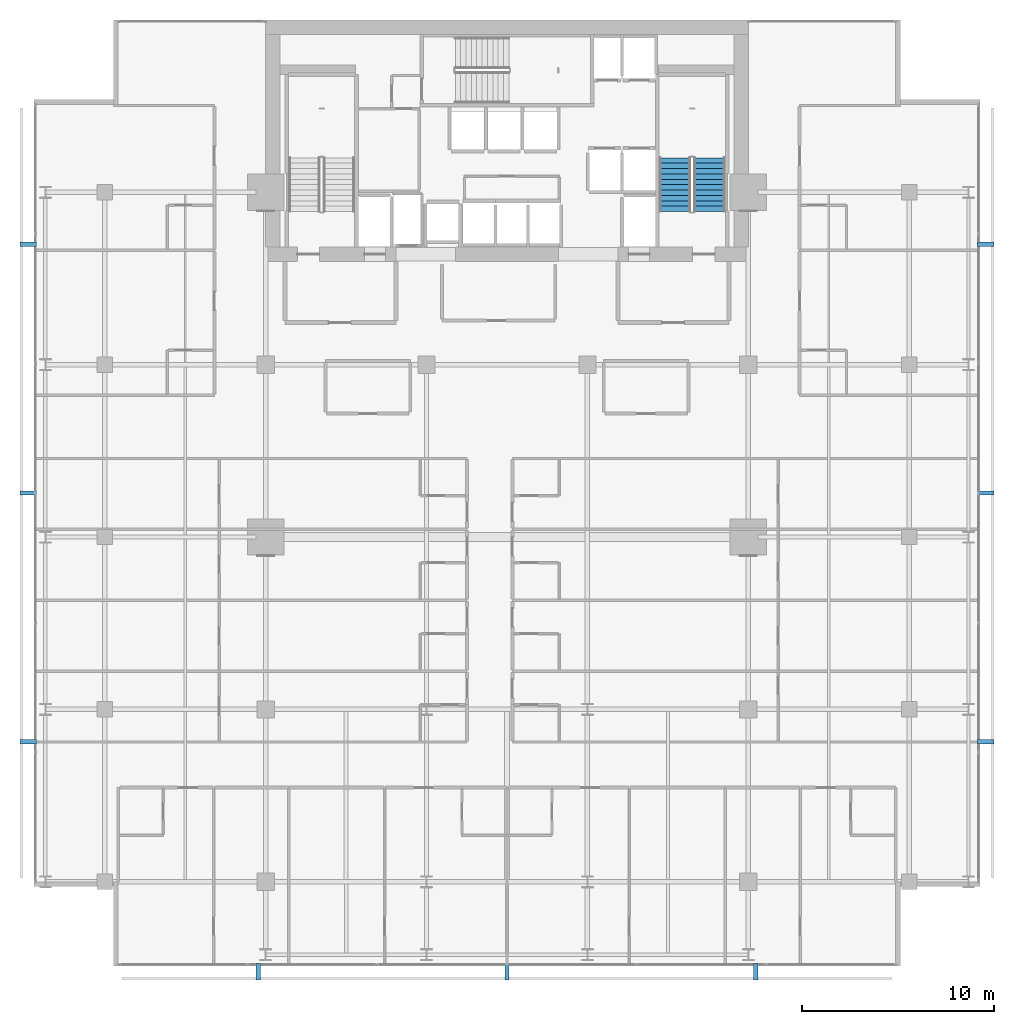
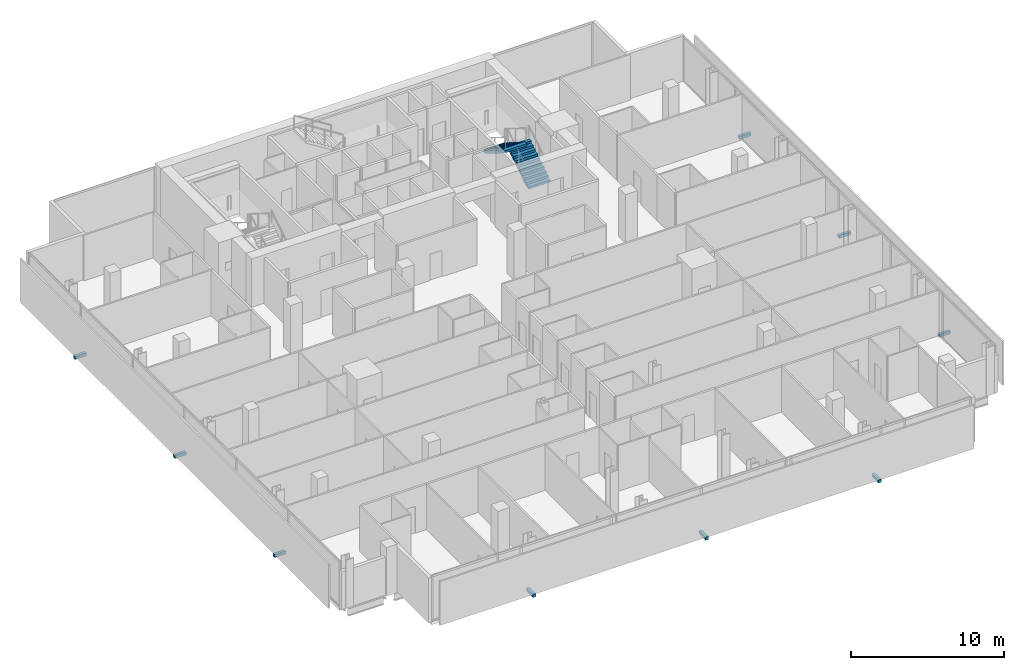
# One storey, part 32 of 34: 9 discrete accessories, 2 stair flights, 1 element without a shape of its own.
"""IFC4 building model written with IfcOpenShell, lengths in metres."""

from ifc_helpers import new_model, si_unit, direction, frame, origin, origin_2d, place, context, subcontext, project, spatial, polyline, rectangle, outline, extrude, material, type_object, element, aggregate, save


model = new_model("IFC4")

# Units and contexts
model_context = context("Model", 3, precision=1e-05, world=origin(), true_north=direction((0.0, 1.0)))
body_context = subcontext(model_context, "Body", "Model", "MODEL_VIEW")
ifc_project = project(units=[si_unit("LENGTHUNIT", "METRE"), si_unit("AREAUNIT", "SQUARE_METRE"), si_unit("VOLUMEUNIT", "CUBIC_METRE"), si_unit("PLANEANGLEUNIT", "RADIAN"), si_unit("MASSUNIT", "GRAM", prefix="KILO")], contexts=[model_context])

# Site, building, storey
site_placement = place(None, origin())
site = spatial("IfcSite", under=ifc_project, at=site_placement, CompositionType="ELEMENT")
building_placement = place(site_placement, origin())
building = spatial("IfcBuilding", under=site, at=building_placement, Name="Maruvema Waterfront Hotel and Observation Tower", CompositionType="ELEMENT")
storey_placement = place(building_placement, frame((0.0, 0.0, 185.14990234375)))
storey = spatial("IfcBuildingStorey", under=building, at=storey_placement, Name="L45", CompositionType="ELEMENT", Elevation=185.14990234375)

# Stair, stair flights
ifc_material_1 = material(Name="Concrete C50/60", Category="concrete")
stair_type = type_object("IfcStairType", Name="Dogleg Exit Stair 1650 mm (22R x 175.0 mm)", PredefinedType="HALF_TURN_STAIR", material=ifc_material_1)
stair_placement = place(storey_placement, origin())
stair = element("IfcStair", 1, at=stair_placement, inside=storey, type_object=stair_type, Name="L45 ST-03", PredefinedType="HALF_TURN_STAIR")
ifc_material_2 = material(Name="Concrete C50/60", Category="concrete")
stair_flight_type = type_object("IfcStairFlightType", Name="Reinforced Concrete Stair Flight 1650 mm (11R x 175.0 mm)", PredefinedType="STRAIGHT", material=ifc_material_2)
stair_flight_1_placement = place(storey_placement, frame((48.375, 44.0, 0.0), z_axis=(0.0, 0.0, 1.0), x_axis=(0.0, 1.0, 0.0)))
stair_flight_1 = element("IfcStairFlight", 2, at=stair_flight_1_placement, type_object=stair_flight_type, Name="ST-03 flight 1", NumberOfRisers=11, NumberOfTreads=10, PredefinedType="STRAIGHT", RiserHeight=0.175, TreadLength=0.28, context=body_context, shape_type="SweptSolid", body=[
    extrude(outline(polyline([(0.0, 0.0), (0.0, 0.175048828125), (0.280029296875, 0.175048828125), (0.280029296875, 0.35009765625), (0.56005859375, 0.35009765625), (0.56005859375, 0.52490234375), (0.840087890625, 0.52490234375), (0.840087890625, 0.699951171875), (1.1201171875, 0.699951171875), (1.1201171875, 0.875), (1.39990234375, 0.875), (1.39990234375, 1.050048828125), (1.679931640625, 1.050048828125), (1.679931640625, 1.22509765625), (1.9599609375, 1.22509765625), (1.9599609375, 1.39990234375), (2.239990234375, 1.39990234375), (2.239990234375, 1.574951171875), (2.52001953125, 1.574951171875), (2.52001953125, 1.75), (2.800048828125, 1.75), (2.800048828125, 1.925048828125), (2.800048828125, 1.5732421875), (0.28271484375, 0.0), (0.0, 0.0)])), frame((0.0, 0.824951171875, 0.0), z_axis=(0.0, -1.0, 0.0), x_axis=(1.0, 0.0, 0.0)), (0.0, 0.0, 1.0), 1.64990234375),
])
stair_flight_2_placement = place(storey_placement, frame((46.574951171875, 46.800048828125, 1.925048828125), z_axis=(0.0, 0.0, 1.0), x_axis=(0.0, -1.0, 0.0)))
stair_flight_2 = element("IfcStairFlight", 3, at=stair_flight_2_placement, type_object=stair_flight_type, Name="ST-03 flight 2", NumberOfRisers=11, NumberOfTreads=10, PredefinedType="STRAIGHT", RiserHeight=0.175, TreadLength=0.28, context=body_context, shape_type="SweptSolid", body=[
    extrude(outline(polyline([(0.0, 0.0), (0.0, 0.175048828125), (0.280029296875, 0.175048828125), (0.280029296875, 0.35009765625), (0.56005859375, 0.35009765625), (0.56005859375, 0.52490234375), (0.840087890625, 0.52490234375), (0.840087890625, 0.699951171875), (1.1201171875, 0.699951171875), (1.1201171875, 0.875), (1.39990234375, 0.875), (1.39990234375, 1.050048828125), (1.679931640625, 1.050048828125), (1.679931640625, 1.22509765625), (1.9599609375, 1.22509765625), (1.9599609375, 1.39990234375), (2.239990234375, 1.39990234375), (2.239990234375, 1.574951171875), (2.52001953125, 1.574951171875), (2.52001953125, 1.75), (2.800048828125, 1.75), (2.800048828125, 1.925048828125), (2.800048828125, 1.5732421875), (0.28271484375, 0.0), (0.0, 0.0)])), frame((0.0, 0.824951171875, 0.0), z_axis=(0.0, -1.0, 0.0), x_axis=(1.0, 0.0, 0.0)), (0.0, 0.0, 1.0), 1.64990234375),
])
aggregate(stair, [stair_flight_1, stair_flight_2])

# Discrete accessories
ifc_material_3 = material(Name="Duplex stainless steel Grade 2205", Category="steel")
discrete_accessory_type = type_object("IfcDiscreteAccessoryType", Name="Double-Skin Cavity Stainless Outrigger Bracket", PredefinedType="BRACKET", material=ifc_material_3)
for number, where, z_axis, x_axis, name in (
    (4, (24.80810546875, 4.300048828125, -0.14013671875), (0.0, 0.0, 1.0), (1.0, 0.0, 0.0), "L45 Outer Skin Support Bracket 1"),
    (5, (37.800048828125, 4.300048828125, -0.14013671875), (0.0, 0.0, 1.0), (1.0, 0.0, 0.0), "L45 Outer Skin Support Bracket 2"),
    (6, (50.7919921875, 4.300048828125, -0.14013671875), (0.0, 0.0, 1.0), (1.0, 0.0, 0.0), "L45 Outer Skin Support Bracket 3"),
    (7, (62.800048828125, 16.30810546875, -0.14013671875), (0.0, 0.0, 1.0), (0.0, 1.0, 0.0), "L45 Outer Skin Support Bracket 1"),
    (8, (62.800048828125, 29.300048828125, -0.14013671875), (0.0, 0.0, 1.0), (0.0, 1.0, 0.0), "L45 Outer Skin Support Bracket 2"),
    (9, (62.800048828125, 42.2919921875, -0.14013671875), (0.0, 0.0, 1.0), (0.0, 1.0, 0.0), "L45 Outer Skin Support Bracket 3"),
    (10, (12.800048828125, 42.2919921875, -0.14013671875), (0.0, 0.0, 1.0), (0.0, -1.0, 0.0), "L45 Outer Skin Support Bracket 1"),
    (11, (12.800048828125, 29.300048828125, -0.14013671875), (0.0, 0.0, 1.0), (0.0, -1.0, 0.0), "L45 Outer Skin Support Bracket 2"),
    (12, (12.800048828125, 16.30810546875, -0.14013671875), (0.0, 0.0, 1.0), (0.0, -1.0, 0.0), "L45 Outer Skin Support Bracket 3"),
):
    element("IfcDiscreteAccessory", number, at=place(storey_placement, frame(where, z_axis=z_axis, x_axis=x_axis)), inside=storey, type_object=discrete_accessory_type, Name=name, PredefinedType="BRACKET", context=body_context, shape_type="SweptSolid", body=[
        extrude(rectangle(XDim=0.219970703125, YDim=0.860107421875, at=origin_2d()), origin(), (0.0, 0.0, 1.0), 0.239990234375),
    ])

save(model, "model.ifc")
